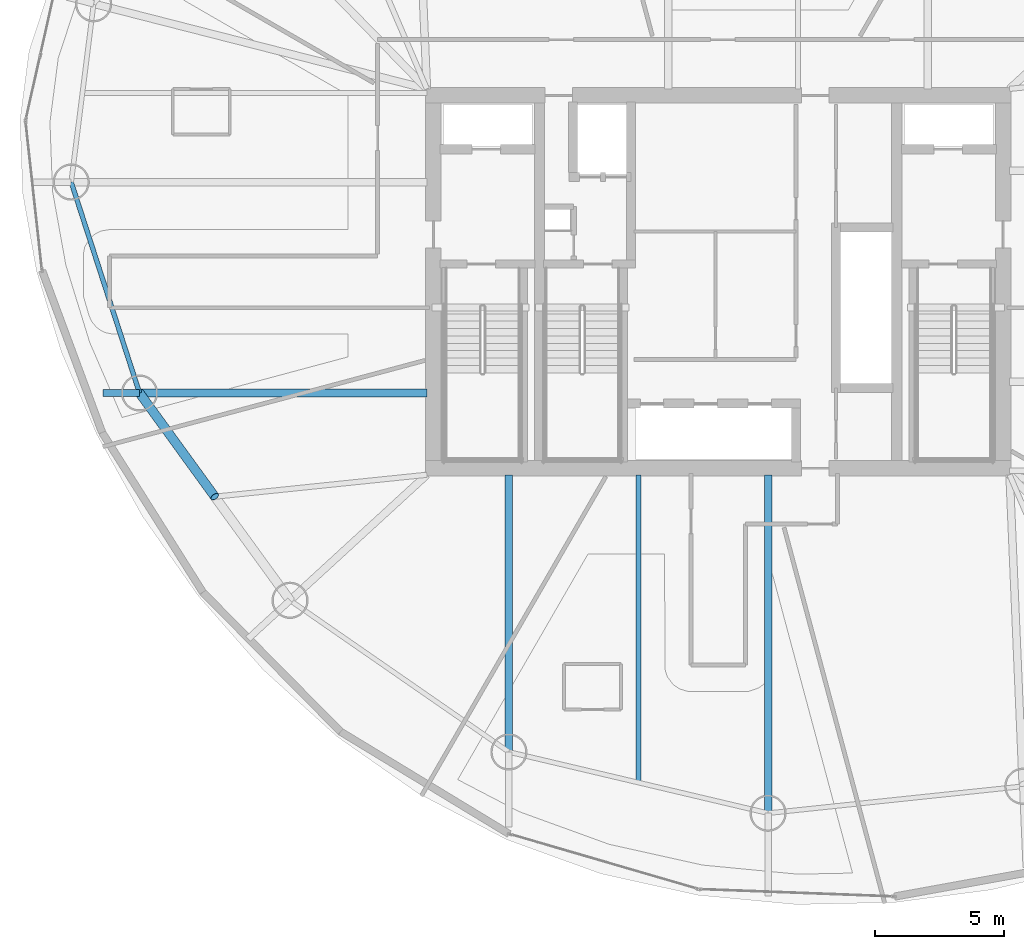
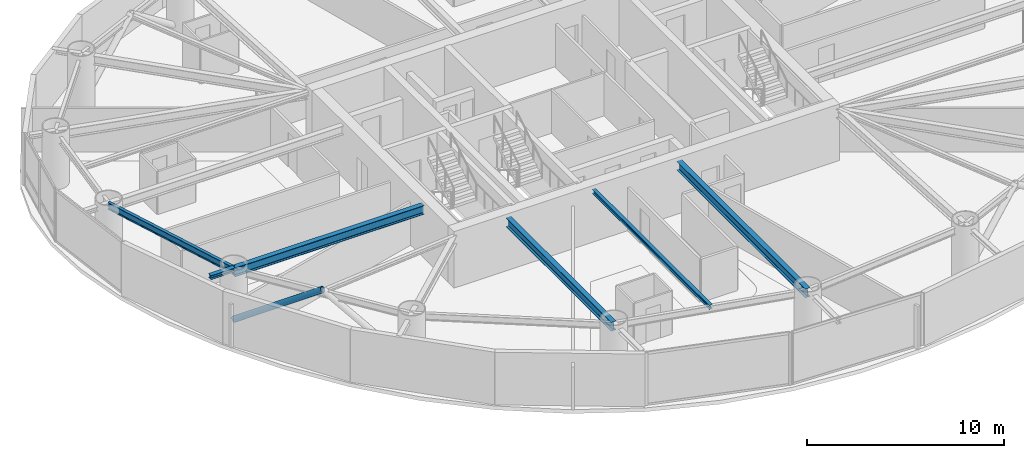
# One storey, part 3 of 22: 6 beams, 1 member.
"""IFC4 building model written with IfcOpenShell, lengths in metres."""

from ifc_helpers import new_model, si_unit, direction, frame, origin, origin_2d, place, context, subcontext, project, spatial, hollow_circle, i_section, extrude, material, material_profile, profile_set, type_object, element, save


model = new_model("IFC4")

# Units and contexts
model_context = context("Model", 3, precision=1e-05, world=origin(), true_north=direction((0.0, 1.0)))
body_context = subcontext(model_context, "Body", "Model", "MODEL_VIEW")
ifc_project = project(units=[si_unit("LENGTHUNIT", "METRE"), si_unit("AREAUNIT", "SQUARE_METRE"), si_unit("VOLUMEUNIT", "CUBIC_METRE"), si_unit("PLANEANGLEUNIT", "RADIAN"), si_unit("MASSUNIT", "GRAM", prefix="KILO")], contexts=[model_context])

# Site, building, storey
site_placement = place(None, origin())
site = spatial("IfcSite", under=ifc_project, at=site_placement, CompositionType="ELEMENT")
building_placement = place(site_placement, origin())
building = spatial("IfcBuilding", under=site, at=building_placement, Name="Bramvorn Convention Spire", CompositionType="ELEMENT")
storey_placement = place(building_placement, frame((0.0, 0.0, 127.300048828125)))
storey = spatial("IfcBuildingStorey", under=building, at=storey_placement, Name="L31", CompositionType="ELEMENT", Elevation=127.300048828125)

# Beams
ifc_material = material(Name="Steel CSA G40.21 Grade 350 (350W)", Category="steel")
ifc_material_profile_1 = material_profile(ifc_material, i_section(OverallWidth=0.201904296875, OverallDepth=0.2470703125, WebThickness=0.00732421875, FlangeThickness=0.010986328125, FilletRadius=0.011962890625, at=origin_2d()))
ifc_profile_set_1 = profile_set([ifc_material_profile_1], Name="Steel CSA G40.21 Grade 350 (350W) - W250X49")
beam_type_1 = type_object("IfcBeamType", Name="BM-W250X49", PredefinedType="JOIST", material=ifc_profile_set_1)
beam_1_placement = place(storey_placement, frame((34.920654296875, 18.550048828125, 3.136474609375), z_axis=(0.0, -1.0, 0.0), x_axis=(1.0, 0.0, 0.0)))
element("IfcBeam", 1, at=beam_1_placement, inside=storey, type_object=beam_type_1, Name="L31 composite floor joist 13", PredefinedType="JOIST", context=body_context, shape_type="SweptSolid", body=[
    extrude(i_section(OverallWidth=0.201904296875, OverallDepth=0.2470703125, WebThickness=0.00732421875, FlangeThickness=0.010986328125, FilletRadius=0.011962890625, at=origin_2d()), origin(), (0.0, 0.0, 1.0), 11.8857421875),
])
ifc_material_profile_2 = material_profile(ifc_material, i_section(OverallWidth=0.25390625, OverallDepth=0.2529296875, WebThickness=0.008544921875, FlangeThickness=0.01416015625, FilletRadius=0.011962890625, at=origin_2d()))
ifc_profile_set_2 = profile_set([ifc_material_profile_2], Name="Steel CSA G40.21 Grade 350 (350W) - W250X73")
beam_type_2 = type_object("IfcBeamType", Name="BM-W250X73", PredefinedType="BEAM", material=ifc_profile_set_2)
beam_2_placement = place(storey_placement, frame((15.654296875, 21.706787109375, 3.133544921875), z_axis=(-1.0, 0.0, 0.0), x_axis=(0.0, -1.0, 0.0)))
element("IfcBeam", 2, at=beam_2_placement, inside=storey, type_object=beam_type_2, Name="L31 slab-edge cantilever tip beam MC11", PredefinedType="BEAM", context=body_context, shape_type="SweptSolid", body=[
    extrude(i_section(OverallWidth=0.25390625, OverallDepth=0.2529296875, WebThickness=0.008544921875, FlangeThickness=0.01416015625, FilletRadius=0.011962890625, at=origin_2d()), origin(), (0.0, 0.0, 1.0), 1.41650390625),
])
ifc_material_profile_3 = material_profile(ifc_material, i_section(OverallWidth=0.180908203125, OverallDepth=0.4169921875, WebThickness=0.010986328125, FlangeThickness=0.018310546875, FilletRadius=0.01611328125, at=origin_2d()))
ifc_profile_set_3 = profile_set([ifc_material_profile_3], Name="Steel CSA G40.21 Grade 350 (350W) - W410X85")
beam_type_3 = type_object("IfcBeamType", Name="BM-W410X85", PredefinedType="JOIST", material=ifc_profile_set_3)
beam_3_placement = place(storey_placement, frame((13.016357421875, 29.851806640625, 3.051513671875), z_axis=(0.308114853612, -0.951349166701, 0.0), x_axis=(0.951349166701, 0.308114853612, 0.0)))
element("IfcBeam", 3, at=beam_3_placement, inside=storey, type_object=beam_type_3, Name="L31 mega-column ring beam 10", PredefinedType="JOIST", context=body_context, shape_type="SweptSolid", body=[
    extrude(i_section(OverallWidth=0.180908203125, OverallDepth=0.4169921875, WebThickness=0.010986328125, FlangeThickness=0.018310546875, FilletRadius=0.01611328125, at=origin_2d()), origin(), (0.0, 0.0, 1.0), 8.5615234375),
])
ifc_material_profile_4 = material_profile(ifc_material, i_section(OverallWidth=0.2919921875, OverallDepth=0.551025390625, WebThickness=0.01513671875, FlangeThickness=0.0244140625, FilletRadius=0.01904296875, at=origin_2d()))
ifc_profile_set_4 = profile_set([ifc_material_profile_4], Name="Steel CSA G40.21 Grade 350 (350W) - W530X182")
beam_type_4 = type_object("IfcBeamType", Name="BM-W530X182", PredefinedType="BEAM", material=ifc_profile_set_4)
beam_4_placement = place(storey_placement, frame((26.75, 21.706787109375, 2.984375), z_axis=(-1.0, 0.0, 0.0), x_axis=(0.0, -1.0, 0.0)))
element("IfcBeam", 4, at=beam_4_placement, inside=storey, type_object=beam_type_4, Name="L31 radial floor girder MC11", PredefinedType="BEAM", context=body_context, shape_type="SweptSolid", body=[
    extrude(i_section(OverallWidth=0.2919921875, OverallDepth=0.551025390625, WebThickness=0.01513671875, FlangeThickness=0.0244140625, FilletRadius=0.01904296875, at=origin_2d()), origin(), (0.0, 0.0, 1.0), 11.095703125),
])
beam_5_placement = place(storey_placement, frame((29.917236328125, 18.550048828125, 2.984375), z_axis=(0.0, -1.0, 0.0), x_axis=(1.0, 0.0, 0.0)))
element("IfcBeam", 5, at=beam_5_placement, inside=storey, type_object=beam_type_4, Name="L31 radial floor girder MC13", PredefinedType="BEAM", context=body_context, shape_type="SweptSolid", body=[
    extrude(i_section(OverallWidth=0.2919921875, OverallDepth=0.551025390625, WebThickness=0.01513671875, FlangeThickness=0.0244140625, FilletRadius=0.01904296875, at=origin_2d()), origin(), (0.0, 0.0, 1.0), 10.7041015625),
])
beam_6_placement = place(storey_placement, frame((39.924072265625, 18.550048828125, 2.984375), z_axis=(0.0, -1.0, 0.0), x_axis=(1.0, 0.0, 0.0)))
element("IfcBeam", 6, at=beam_6_placement, inside=storey, type_object=beam_type_4, Name="L31 radial floor girder MC14", PredefinedType="BEAM", context=body_context, shape_type="SweptSolid", body=[
    extrude(i_section(OverallWidth=0.2919921875, OverallDepth=0.551025390625, WebThickness=0.01513671875, FlangeThickness=0.0244140625, FilletRadius=0.01904296875, at=origin_2d()), origin(), (0.0, 0.0, 1.0), 13.0673828125),
])

# Member
ifc_material_profile_5 = material_profile(ifc_material, hollow_circle(Radius=0.177734375, WallThickness=0.015869140625, at=origin_2d()))
ifc_profile_set_5 = profile_set([ifc_material_profile_5], Name="Steel CSA G40.21 Grade 350 (350W) - CHS356X16")
member_type = type_object("IfcMemberType", Name="MBR-CHS356X16", PredefinedType="BRACE", material=ifc_profile_set_5)
member_placement = place(storey_placement, frame((15.654296875, 21.706787109375, 0.0), z_axis=(0.490469921938, -0.675720094118, 0.55031046699), x_axis=(0.809284280508, 0.587417188481, 0.0)))
element("IfcMember", 7, at=member_placement, inside=storey, type_object=member_type, Name="L31 perimeter Gothic lancet brace 11A", PredefinedType="BRACE", context=body_context, shape_type="SweptSolid", body=[
    extrude(hollow_circle(Radius=0.177734375, WallThickness=0.015869140625, at=origin_2d()), origin(), (0.0, 0.0, 1.0), 5.923828125),
])

save(model, "model.ifc")
